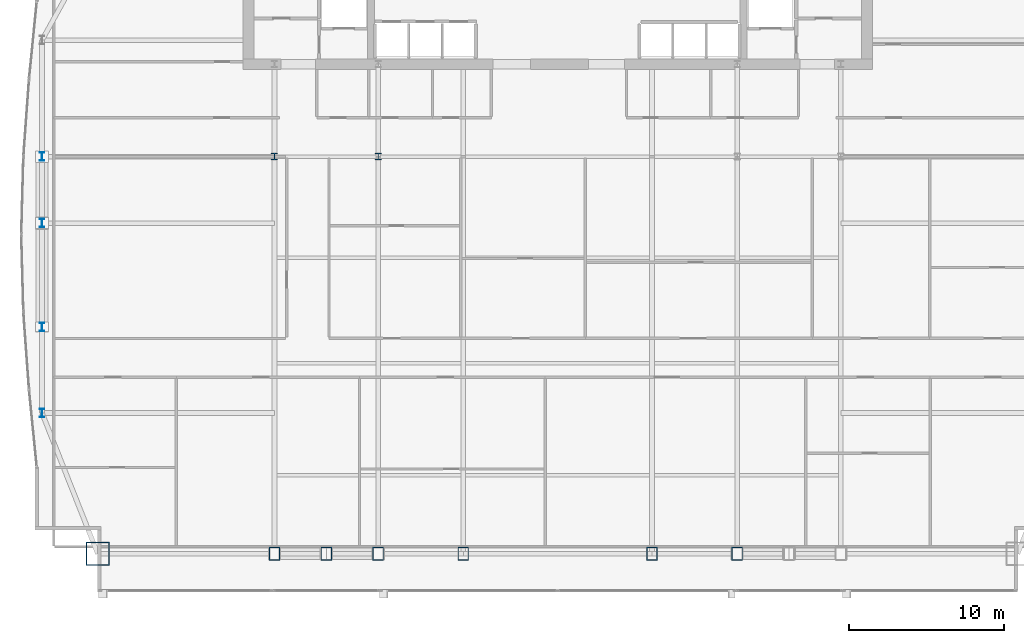
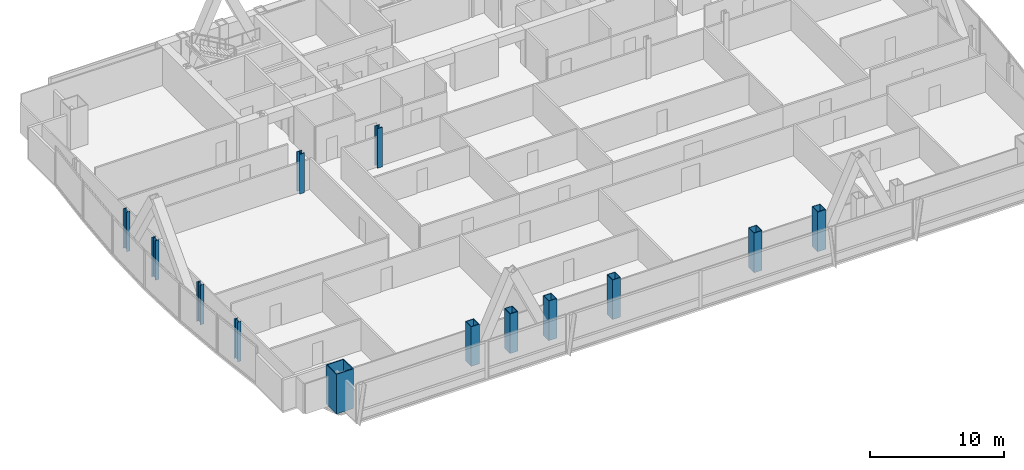
# One storey, part 1 of 31: 13 columns.
"""IFC4 building model written with IfcOpenShell, lengths in metres."""

from ifc_helpers import new_model, si_unit, direction, frame, origin, origin_2d, place, context, subcontext, project, spatial, hollow_rectangle, i_section, extrude, material, material_profile, profile_set, type_object, element, save


model = new_model("IFC4")

# Units and contexts
model_context = context("Model", 3, precision=1e-05, world=origin(), true_north=direction((0.0, 1.0)))
body_context = subcontext(model_context, "Body", "Model", "MODEL_VIEW")
ifc_project = project(units=[si_unit("LENGTHUNIT", "METRE"), si_unit("AREAUNIT", "SQUARE_METRE"), si_unit("VOLUMEUNIT", "CUBIC_METRE"), si_unit("PLANEANGLEUNIT", "RADIAN"), si_unit("MASSUNIT", "GRAM", prefix="KILO")], contexts=[model_context])

# Site, building, storey
site_placement = place(None, origin())
site = spatial("IfcSite", under=ifc_project, at=site_placement, CompositionType="ELEMENT")
building_placement = place(site_placement, origin())
building = spatial("IfcBuilding", under=site, at=building_placement, Name="Khoronbel Lancet Exchange", CompositionType="ELEMENT")
storey_placement = place(building_placement, frame((0.0, 0.0, 129.0)))
storey = spatial("IfcBuildingStorey", under=building, at=storey_placement, Name="L31", CompositionType="ELEMENT", Elevation=129.0)

# Columns
ifc_material_1 = material(Name="Steel S460", Category="steel")
ifc_material_profile_1 = material_profile(ifc_material_1, hollow_rectangle(XDim=0.699951171875, YDim=0.85009765625, WallThickness=0.050048828125, at=origin_2d()), Name="BOX 850x700x50")
ifc_profile_set_1 = profile_set([ifc_material_profile_1], Name="Steel S460")
column_type_1 = type_object("IfcColumnType", Name="COL-EC2", PredefinedType="COLUMN", material=ifc_profile_set_1)
for number, where, z_axis, x_axis, name in (
    (1, (18.22509765625, 10.14990234375, 0.0), (0.0, 0.0, 1.0), (1.0, 0.0, 0.0), "Structural column SC-W1 L31"),
    (2, (21.5625, 10.14990234375, 0.0), (0.0, 0.0, 1.0), (1.0, 0.0, 0.0), "Structural column SC-WM L31"),
    (3, (24.89990234375, 10.14990234375, 0.0), (0.0, 0.0, 1.0), (1.0, 0.0, 0.0), "Structural column SC-W2 L31"),
    (4, (30.375, 10.14990234375, 0.0), (0.0, 0.0, 1.0), (1.0, 0.0, 0.0), "Structural column SC-C1 L31"),
    (5, (42.52490234375, 10.14990234375, 0.0), (0.0, 0.0, 1.0), (1.0, 0.0, 0.0), "Structural column SC-C2 L31"),
    (6, (48.0, 10.14990234375, 0.0), (0.0, 0.0, 1.0), (1.0, 0.0, 0.0), "Structural column SC-E1 L31"),
):
    element("IfcColumn", number, at=place(storey_placement, frame(where, z_axis=z_axis, x_axis=x_axis)), inside=storey, type_object=column_type_1, Name=name, PredefinedType="COLUMN", context=body_context, shape_type="SweptSolid", body=[
        extrude(hollow_rectangle(XDim=0.699951171875, YDim=0.85009765625, WallThickness=0.050048828125, at=origin_2d()), origin(), (0.0, 0.0, 1.0), 3.60009765625),
    ])
ifc_material_profile_2 = material_profile(ifc_material_1, i_section(OverallWidth=0.416015625, OverallDepth=0.446044921875, WebThickness=0.0390625, FlangeThickness=0.062744140625, at=origin_2d()), Name="HD 400x509")
ifc_profile_set_2 = profile_set([ifc_material_profile_2], Name="Steel S460")
column_type_2 = type_object("IfcColumnType", Name="COL-IC2", PredefinedType="COLUMN", material=ifc_profile_set_2)
for number, where, z_axis, x_axis, name in (
    (7, (18.22509765625, 35.699951171875, 0.0), (0.0, 0.0, 1.0), (1.0, 0.0, 0.0), "Spine gravity column TC1 L31"),
    (8, (24.89990234375, 35.699951171875, 0.0), (0.0, 0.0, 1.0), (1.0, 0.0, 0.0), "Spine gravity column TC2 L31"),
):
    element("IfcColumn", number, at=place(storey_placement, frame(where, z_axis=z_axis, x_axis=x_axis)), inside=storey, type_object=column_type_2, Name=name, PredefinedType="COLUMN", context=body_context, shape_type="SweptSolid", body=[
        extrude(i_section(OverallWidth=0.416015625, OverallDepth=0.446044921875, WebThickness=0.0390625, FlangeThickness=0.062744140625, at=origin_2d()), origin(), (0.0, 0.0, 1.0), 3.60009765625),
    ])
ifc_material_2 = material(Name="Steel S355", Category="steel")
ifc_material_profile_3 = material_profile(ifc_material_2, i_section(OverallWidth=0.300048828125, OverallDepth=0.550048828125, WebThickness=0.014892578125, FlangeThickness=0.029052734375, at=origin_2d()), Name="HEB 550")
ifc_profile_set_3 = profile_set([ifc_material_profile_3], Name="Steel S355")
column_type_3 = type_object("IfcColumnType", Name="COL-LC1", PredefinedType="COLUMN", material=ifc_profile_set_3)
for number, where, z_axis, x_axis, name in (
    (9, (3.27001953125, 19.199951171875, 0.0), (0.0, 0.0, 1.0), (1.0, 0.0, 0.0), "Structural column WC-1 L31"),
    (10, (3.27001953125, 24.75, 0.0), (0.0, 0.0, 1.0), (1.0, 0.0, 0.0), "Structural column WC-2 L31"),
    (11, (3.27001953125, 31.425048828125, 0.0), (0.0, 0.0, 1.0), (1.0, 0.0, 0.0), "Structural column WC-M L31"),
    (12, (3.27001953125, 35.699951171875, 0.0), (0.0, 0.0, 1.0), (1.0, 0.0, 0.0), "Structural column WC-3 L31"),
):
    element("IfcColumn", number, at=place(storey_placement, frame(where, z_axis=z_axis, x_axis=x_axis)), inside=storey, type_object=column_type_3, Name=name, PredefinedType="COLUMN", context=body_context, shape_type="SweptSolid", body=[
        extrude(i_section(OverallWidth=0.300048828125, OverallDepth=0.550048828125, WebThickness=0.014892578125, FlangeThickness=0.029052734375, at=origin_2d()), origin(), (0.0, 0.0, 1.0), 3.60009765625),
    ])
ifc_material_profile_4 = material_profile(ifc_material_1, hollow_rectangle(XDim=1.5, YDim=1.5, WallThickness=0.070068359375, at=origin_2d()), Name="BOX 1500x1500x70")
ifc_profile_set_4 = profile_set([ifc_material_profile_4], Name="Steel S460")
column_type_4 = type_object("IfcColumnType", Name="COL-MC3", PredefinedType="COLUMN", material=ifc_profile_set_4)
column_placement = place(storey_placement, frame((6.85009765625, 10.14990234375, 0.0), z_axis=(0.0, 0.0, 1.0), x_axis=(1.0, 0.0, 0.0)))
element("IfcColumn", 13, at=column_placement, inside=storey, type_object=column_type_4, Name="Structural column MC-SW L31", PredefinedType="COLUMN", context=body_context, shape_type="SweptSolid", body=[
    extrude(hollow_rectangle(XDim=1.5, YDim=1.5, WallThickness=0.070068359375, at=origin_2d()), origin(), (0.0, 0.0, 1.0), 3.60009765625),
])

save(model, "model.ifc")
